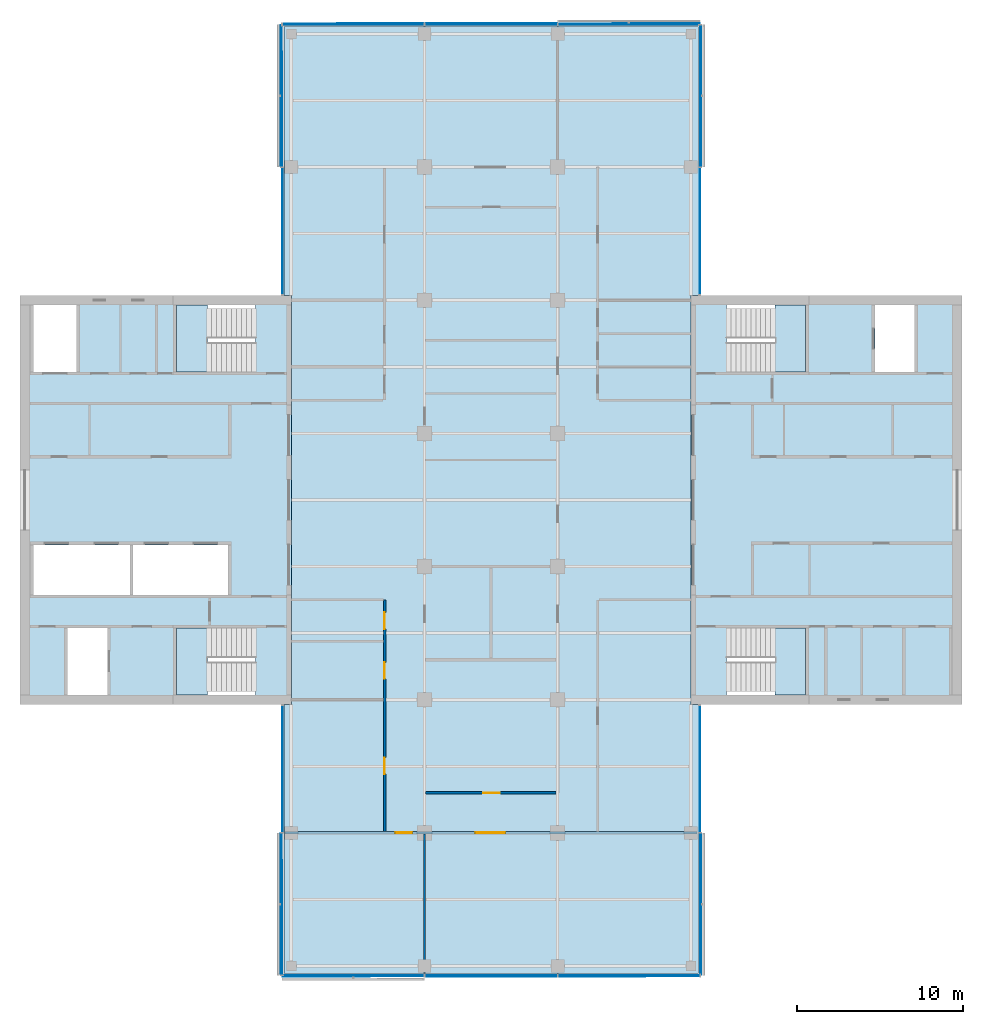
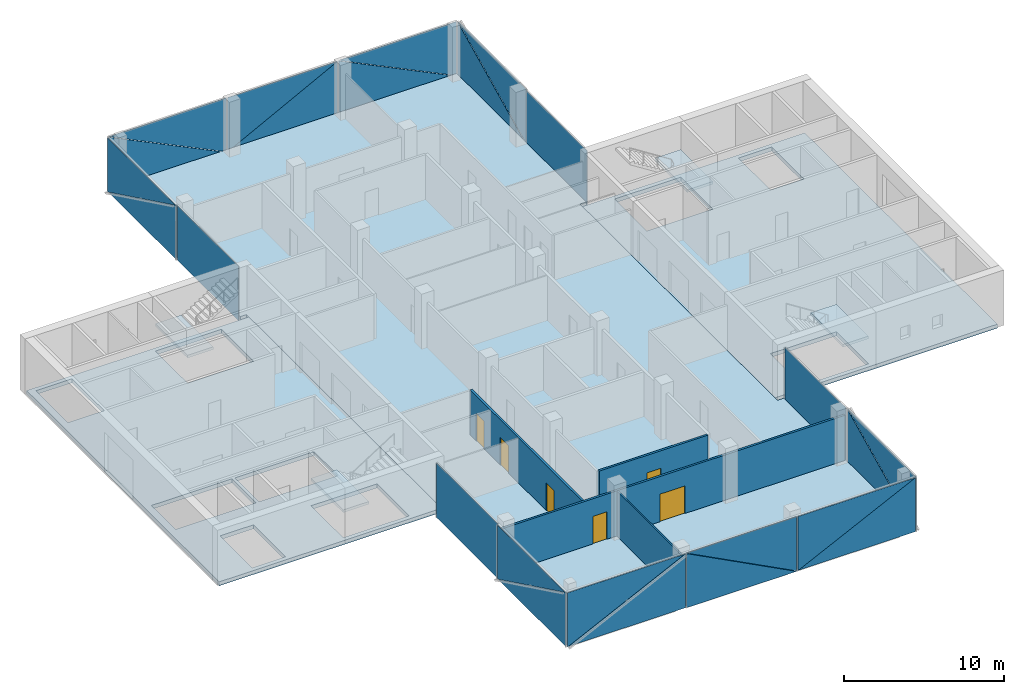
# One storey, part 8 of 15: 24 plates, 7 slabs, 6 doors, 4 walls, 6 openings, 14 elements without a shape of their own.
"""IFC4 building model written with IfcOpenShell, lengths in metres."""

from ifc_helpers import new_model, si_unit, direction, frame, frame_2d, origin, place, context, subcontext, project, spatial, polyline, rectangle, outline, extrude, material, layer, layer_set, type_object, element, fill, aggregate, save


model = new_model("IFC4")

# Units and contexts
model_context = context("Model", 3, precision=1e-05, world=origin(), true_north=direction((0.0, 1.0)))
body_context = subcontext(model_context, "Body", "Model", "MODEL_VIEW")
ifc_project = project(units=[si_unit("LENGTHUNIT", "METRE"), si_unit("AREAUNIT", "SQUARE_METRE"), si_unit("VOLUMEUNIT", "CUBIC_METRE"), si_unit("PLANEANGLEUNIT", "RADIAN"), si_unit("MASSUNIT", "GRAM", prefix="KILO")], contexts=[model_context])

# Site, building, storey
site_placement = place(None, origin())
site = spatial("IfcSite", under=ifc_project, at=site_placement, CompositionType="ELEMENT")
building_placement = place(site_placement, origin())
building = spatial("IfcBuilding", under=site, at=building_placement, Name="Crosswind Convention Tower", CompositionType="ELEMENT")
storey_placement = place(building_placement, frame((0.0, 0.0, 229.300048828125)))
storey = spatial("IfcBuildingStorey", under=building, at=storey_placement, Name="L49", CompositionType="ELEMENT", Elevation=229.300048828125)

# Slabs
ifc_material_1 = material(Name="Concrete C40/50", Category="concrete")
ifc_layer_1 = layer(ifc_material_1, 0.300048828125)
ifc_layer_set_1 = layer_set([ifc_layer_1], Name="Concrete C40/50")
slab_type_1 = type_object("IfcSlabType", Name="Composite floor slab 300", PredefinedType="FLOOR", material=ifc_layer_set_1)
slab_1_placement = place(storey_placement, frame((0.0, 0.0, -0.300048828125)))
element("IfcSlab", 1, at=slab_1_placement, inside=storey, type_object=slab_type_1, Name="Floor slab L49", PredefinedType="FLOOR", context=body_context, shape_type="SweptSolid", body=[
    extrude(outline(polyline([(137.449951171875, 71.550048828125), (137.0, 71.550048828125), (113.0, 71.550048828125), (112.550048828125, 71.550048828125), (112.550048828125, 72.0), (112.550048828125, 87.699951171875), (113.0, 87.699951171875), (113.0, 112.300048828125), (112.550048828125, 112.300048828125), (112.550048828125, 128.0), (112.550048828125, 128.449951171875), (113.0, 128.449951171875), (137.0, 128.449951171875), (137.449951171875, 128.449951171875), (137.449951171875, 128.0), (137.449951171875, 112.300048828125), (137.0, 112.300048828125), (137.0, 87.699951171875), (137.449951171875, 87.699951171875), (137.449951171875, 72.0), (137.449951171875, 71.550048828125)])), origin(), (0.0, 0.0, 1.0), 0.300048828125),
])
ifc_layer_2 = layer(ifc_material_1, 0.300048828125)
ifc_layer_set_2 = layer_set([ifc_layer_2], Name="Concrete C40/50")
slab_type_2 = type_object("IfcSlabType", Name="Concrete core floor slab 300", PredefinedType="FLOOR", material=ifc_layer_set_2)
slab_2_placement = place(storey_placement, frame((0.0, 0.0, -0.300048828125)))
element("IfcSlab", 2, at=slab_2_placement, inside=storey, type_object=slab_type_2, Name="Core floor slab E L49", PredefinedType="FLOOR", context=body_context, shape_type="SweptSolid", body=[
    extrude(outline(polyline([(137.0, 88.0), (153.0, 88.0), (153.0, 112.0), (137.0, 112.0), (137.0, 88.0)]), holes=[polyline([(150.449951171875, 107.699951171875), (150.449951171875, 111.699951171875), (148.050048828125, 111.699951171875), (148.050048828125, 107.699951171875), (150.449951171875, 107.699951171875)]), polyline([(143.89990234375, 107.699951171875), (143.89990234375, 111.699951171875), (139.14990234375, 111.699951171875), (139.14990234375, 107.699951171875), (143.89990234375, 107.699951171875)]), polyline([(143.89990234375, 88.300048828125), (143.89990234375, 92.300048828125), (139.14990234375, 92.300048828125), (139.14990234375, 88.300048828125), (143.89990234375, 88.300048828125)])]), origin(), (0.0, 0.0, 1.0), 0.300048828125),
])
slab_3_placement = place(storey_placement, frame((0.0, 0.0, -0.300048828125)))
element("IfcSlab", 3, at=slab_3_placement, inside=storey, type_object=slab_type_2, Name="Core floor slab W L49", PredefinedType="FLOOR", context=body_context, shape_type="SweptSolid", body=[
    extrude(outline(polyline([(97.0, 88.0), (113.0, 88.0), (113.0, 112.0), (97.0, 112.0), (97.0, 88.0)]), holes=[polyline([(109.199951171875, 94.300048828125), (109.199951171875, 97.300048828125), (103.5, 97.300048828125), (103.5, 94.300048828125), (109.199951171875, 94.300048828125)]), polyline([(103.300048828125, 94.300048828125), (103.300048828125, 97.300048828125), (97.5, 97.300048828125), (97.5, 94.300048828125), (103.300048828125, 94.300048828125)]), polyline([(101.949951171875, 88.300048828125), (101.949951171875, 92.300048828125), (99.550048828125, 92.300048828125), (99.550048828125, 88.300048828125), (101.949951171875, 88.300048828125)]), polyline([(100.10009765625, 107.699951171875), (100.10009765625, 111.699951171875), (97.5, 111.699951171875), (97.5, 107.699951171875), (100.10009765625, 107.699951171875)]), polyline([(110.85009765625, 88.300048828125), (110.85009765625, 92.300048828125), (106.10009765625, 92.300048828125), (106.10009765625, 88.300048828125), (110.85009765625, 88.300048828125)]), polyline([(110.85009765625, 107.699951171875), (110.85009765625, 111.699951171875), (106.10009765625, 111.699951171875), (106.10009765625, 107.699951171875), (110.85009765625, 107.699951171875)])]), origin(), (0.0, 0.0, 1.0), 0.300048828125),
])

# Stair, slab
stair_type = type_object("IfcStairType", Name="Exit stair 1800 wide, 2 flights of 11 risers", PredefinedType="HALF_TURN_STAIR", material=ifc_material_1)
stair_1_placement = place(storey_placement, origin())
stair_1 = element("IfcStair", 4, at=stair_1_placement, inside=storey, type_object=stair_type, Name="Exit stair ST1 L49", ObjectType="ST5", PredefinedType="HALF_TURN_STAIR")
ifc_layer_3 = layer(ifc_material_1, 0.199951171875)
ifc_layer_set_3 = layer_set([ifc_layer_3], Name="Concrete C40/50")
slab_type_3 = type_object("IfcSlabType", Name="Stair landing 200", PredefinedType="LANDING", material=ifc_layer_set_3)
slab_4_placement = place(storey_placement, frame((0.0, 0.0, 1.89990234375)))
slab_4 = element("IfcSlab", 5, at=slab_4_placement, type_object=slab_type_3, Name="ST1 landing 1", PredefinedType="LANDING", context=body_context, shape_type="SweptSolid", body=[
    extrude(outline(polyline([(143.89990234375, 107.699951171875), (143.89990234375, 111.699951171875), (142.050048828125, 111.699951171875), (142.050048828125, 107.699951171875), (143.89990234375, 107.699951171875)])), origin(), (0.0, 0.0, 1.0), 0.199951171875),
])
aggregate(stair_1, [slab_4])

stair_2_placement = place(storey_placement, origin())
stair_2 = element("IfcStair", 6, at=stair_2_placement, inside=storey, type_object=stair_type, Name="Exit stair ST2 L49", ObjectType="ST5", PredefinedType="HALF_TURN_STAIR")
slab_5_placement = place(storey_placement, frame((0.0, 0.0, 1.89990234375)))
slab_5 = element("IfcSlab", 7, at=slab_5_placement, type_object=slab_type_3, Name="ST2 landing 1", PredefinedType="LANDING", context=body_context, shape_type="SweptSolid", body=[
    extrude(outline(polyline([(143.89990234375, 88.300048828125), (143.89990234375, 92.300048828125), (142.050048828125, 92.300048828125), (142.050048828125, 88.300048828125), (143.89990234375, 88.300048828125)])), origin(), (0.0, 0.0, 1.0), 0.199951171875),
])
aggregate(stair_2, [slab_5])

stair_3_placement = place(storey_placement, origin())
stair_3 = element("IfcStair", 8, at=stair_3_placement, inside=storey, type_object=stair_type, Name="Exit stair ST3 L49", ObjectType="ST5", PredefinedType="HALF_TURN_STAIR")
slab_6_placement = place(storey_placement, frame((0.0, 0.0, 1.89990234375)))
slab_6 = element("IfcSlab", 9, at=slab_6_placement, type_object=slab_type_3, Name="ST3 landing 1", PredefinedType="LANDING", context=body_context, shape_type="SweptSolid", body=[
    extrude(outline(polyline([(107.949951171875, 88.300048828125), (107.949951171875, 92.300048828125), (106.10009765625, 92.300048828125), (106.10009765625, 88.300048828125), (107.949951171875, 88.300048828125)])), origin(), (0.0, 0.0, 1.0), 0.199951171875),
])
aggregate(stair_3, [slab_6])

stair_4_placement = place(storey_placement, origin())
stair_4 = element("IfcStair", 10, at=stair_4_placement, inside=storey, type_object=stair_type, Name="Exit stair ST4 L49", ObjectType="ST5", PredefinedType="HALF_TURN_STAIR")
slab_7_placement = place(storey_placement, frame((0.0, 0.0, 1.89990234375)))
slab_7 = element("IfcSlab", 11, at=slab_7_placement, type_object=slab_type_3, Name="ST4 landing 1", PredefinedType="LANDING", context=body_context, shape_type="SweptSolid", body=[
    extrude(outline(polyline([(107.949951171875, 107.699951171875), (107.949951171875, 111.699951171875), (106.10009765625, 111.699951171875), (106.10009765625, 107.699951171875), (107.949951171875, 107.699951171875)])), origin(), (0.0, 0.0, 1.0), 0.199951171875),
])
aggregate(stair_4, [slab_7])

# Curtain wall, plate
ifc_material_2 = material(Name="Aluminium unitised curtain wall", Category="aluminium")
curtain_wall_type_1 = type_object("IfcCurtainWallType", Name="CORE END SLOT WALL 160", PredefinedType="USERDEFINED", material=ifc_material_2)
curtain_wall_1_placement = place(storey_placement, origin())
curtain_wall_1 = element("IfcCurtainWall", 12, at=curtain_wall_1_placement, inside=storey, type_object=curtain_wall_type_1, Name="CW6 L49 N-E.1-1 slot", ObjectType="UNITISED", PredefinedType="USERDEFINED")
ifc_material_3 = material(Name="Laminated insulating glass unit", Category="glass")
ifc_layer_4 = layer(ifc_material_3, 0.02587890625)
ifc_layer_set_4 = layer_set([ifc_layer_4], Name="TRIANGULAR GLASS PANEL 26")
plate_type_1 = type_object("IfcPlateType", Name="TRIANGULAR GLASS PANEL 26", PredefinedType="CURTAIN_PANEL", material=ifc_layer_set_4)
plate_1_placement = place(storey_placement, frame((137.556884765625, 112.35009765625, -0.300048828125), z_axis=(0.999999915205, 0.0, 0.00041181312), x_axis=(0.0, 1.0, 0.0)))
plate_1 = element("IfcPlate", 13, at=plate_1_placement, type_object=plate_type_1, Name="CW6 panel 1.1", PredefinedType="CURTAIN_PANEL", context=body_context, shape_type="SweptSolid", body=[
    extrude(outline(polyline([(0.0, 0.0), (7.599853515625, 0.0), (7.599853515625, 4.149902695641109), (0.0, 4.149902695641109), (0.0, 0.0)])), origin(), (0.0, 0.0, -1.0), 0.02587890625),
])
aggregate(curtain_wall_1, [plate_1])

curtain_wall_2_placement = place(storey_placement, origin())
curtain_wall_2 = element("IfcCurtainWall", 14, at=curtain_wall_2_placement, inside=storey, type_object=curtain_wall_type_1, Name="CW6 L49 N-W.1-2 slot", ObjectType="UNITISED", PredefinedType="USERDEFINED")
plate_2_placement = place(storey_placement, frame((112.443115234375, 119.949951171875, -0.300048828125), z_axis=(-0.999999915205, 0.0, 0.00041181312), x_axis=(0.0, -1.0, 0.0)))
plate_2 = element("IfcPlate", 15, at=plate_2_placement, type_object=plate_type_1, Name="CW6 panel 1.1", PredefinedType="CURTAIN_PANEL", context=body_context, shape_type="SweptSolid", body=[
    extrude(outline(polyline([(0.0, 0.0), (7.599853515625, 0.0), (7.599853515625, 4.149902695641109), (0.0, 4.149902695641109), (0.0, 0.0)])), origin(), (0.0, 0.0, -1.0), 0.02587890625),
])
aggregate(curtain_wall_2, [plate_2])

curtain_wall_3_placement = place(storey_placement, origin())
curtain_wall_3 = element("IfcCurtainWall", 16, at=curtain_wall_3_placement, inside=storey, type_object=curtain_wall_type_1, Name="CW6 L49 S-W.1-1 slot", ObjectType="UNITISED", PredefinedType="USERDEFINED")
plate_3_placement = place(storey_placement, frame((112.443115234375, 87.64990234375, -0.300048828125), z_axis=(-0.999999915205, 0.0, 0.00041181312), x_axis=(0.0, -1.0, 0.0)))
plate_3 = element("IfcPlate", 17, at=plate_3_placement, type_object=plate_type_1, Name="CW6 panel 1.1", PredefinedType="CURTAIN_PANEL", context=body_context, shape_type="SweptSolid", body=[
    extrude(outline(polyline([(0.0, 0.0), (7.599853515625, 0.0), (7.599853515625, 4.149902695641109), (0.0, 4.149902695641109), (0.0, 0.0)])), origin(), (0.0, 0.0, -1.0), 0.02587890625),
])
aggregate(curtain_wall_3, [plate_3])

curtain_wall_4_placement = place(storey_placement, origin())
curtain_wall_4 = element("IfcCurtainWall", 18, at=curtain_wall_4_placement, inside=storey, type_object=curtain_wall_type_1, Name="CW6 L49 S-E.1-2 slot", ObjectType="UNITISED", PredefinedType="USERDEFINED")
plate_4_placement = place(storey_placement, frame((137.556884765625, 80.050048828125, -0.300048828125), z_axis=(0.999999915205, 0.0, 0.00041181312), x_axis=(0.0, 1.0, 0.0)))
plate_4 = element("IfcPlate", 19, at=plate_4_placement, type_object=plate_type_1, Name="CW6 panel 1.1", PredefinedType="CURTAIN_PANEL", context=body_context, shape_type="SweptSolid", body=[
    extrude(outline(polyline([(0.0, 0.0), (7.599853515625, 0.0), (7.599853515625, 4.149902695641109), (0.0, 4.149902695641109), (0.0, 0.0)])), origin(), (0.0, 0.0, -1.0), 0.02587890625),
])
aggregate(curtain_wall_4, [plate_4])

# Curtain wall, plates
curtain_wall_type_2 = type_object("IfcCurtainWallType", Name="OFFICE UNITISED WALL 220", PredefinedType="USERDEFINED", material=ifc_material_2)
curtain_wall_5_placement = place(storey_placement, origin())
curtain_wall_5 = element("IfcCurtainWall", 20, at=curtain_wall_5_placement, inside=storey, type_object=curtain_wall_type_2, Name="CW3 L49 N-E 1", ObjectType="UNITISED", PredefinedType="USERDEFINED")
ifc_layer_5 = layer(ifc_material_3, 0.031982421875)
ifc_layer_set_5 = layer_set([ifc_layer_5], Name="TRIANGULAR GLASS PANEL 32")
plate_type_2 = type_object("IfcPlateType", Name="TRIANGULAR GLASS PANEL 32", PredefinedType="CURTAIN_PANEL", material=ifc_layer_set_5)
plate_5_placement = place(storey_placement, frame((137.5927734375, 128.52490234375, -0.300048828125), z_axis=(0.999999913924, 0.0, 0.000414913129), x_axis=(-0.000414913129, 0.0, 0.999999913924)))
plate_5 = element("IfcPlate", 21, at=plate_5_placement, type_object=plate_type_2, Name="CW3 panel 1.1", PredefinedType="CURTAIN_PANEL", context=body_context, shape_type="SweptSolid", body=[
    extrude(outline(polyline([(0.0, 0.0), (4.118896838915043, 0.0), (0.0, 8.467041015624998), (0.0, 0.0)])), origin(), (0.0, 0.0, -1.0), 0.031982421875),
])
plate_6_placement = place(storey_placement, frame((137.625244140625, 120.034912109375, 3.829833984375), z_axis=(0.999999936753, 0.0, 0.000355660914), x_axis=(0.000355660914, 0.0, -0.999999936753)))
plate_6 = element("IfcPlate", 22, at=plate_6_placement, type_object=plate_type_2, Name="CW3 panel 1.2", PredefinedType="CURTAIN_PANEL", context=body_context, shape_type="SweptSolid", body=[
    extrude(outline(polyline([(0.0, 0.0), (4.1186526042438425, 0.0), (0.0, 8.467285156250002), (0.0, 0.0)])), origin(), (0.0, 0.0, -1.0), 0.031982421875),
])
aggregate(curtain_wall_5, [plate_5, plate_6])

curtain_wall_6_placement = place(storey_placement, origin())
curtain_wall_6 = element("IfcCurtainWall", 23, at=curtain_wall_6_placement, inside=storey, type_object=curtain_wall_type_2, Name="CW3 L49 N-TIP 1", ObjectType="UNITISED", PredefinedType="USERDEFINED")
plate_7_placement = place(storey_placement, frame((129.034912109375, 128.5927734375, -0.300048828125), z_axis=(0.0, 0.999999913924, 0.000414913129), x_axis=(0.0, -0.000414913129, 0.999999913924)))
plate_7 = element("IfcPlate", 24, at=plate_7_placement, type_object=plate_type_2, Name="CW3 panel 1.1", PredefinedType="CURTAIN_PANEL", context=body_context, shape_type="SweptSolid", body=[
    extrude(outline(polyline([(0.0, 0.0), (4.118896838915043, 0.0), (0.0, 8.467285156249998), (0.0, 0.0)])), origin(), (0.0, 0.0, -1.0), 0.031982421875),
])
plate_8_placement = place(storey_placement, frame((137.52490234375, 128.625244140625, 3.829833984375), z_axis=(0.0, 0.999999936753, 0.000355660914), x_axis=(0.0, 0.000355660914, -0.999999936753)))
plate_8 = element("IfcPlate", 25, at=plate_8_placement, type_object=plate_type_2, Name="CW3 panel 1.2", PredefinedType="CURTAIN_PANEL", context=body_context, shape_type="SweptSolid", body=[
    extrude(outline(polyline([(0.0, 0.0), (4.1186526042438425, 0.0), (0.0, 8.467041015625), (0.0, 0.0)])), origin(), (0.0, 0.0, -1.0), 0.031982421875),
])
plate_9_placement = place(storey_placement, frame((121.034912109375, 128.591064453125, 3.829833984375), z_axis=(0.0, 0.999999913913, 0.000414937724), x_axis=(1.0, 0.0, 0.0)))
plate_9 = element("IfcPlate", 26, at=plate_9_placement, type_object=plate_type_2, Name="CW3 panel 2.1", PredefinedType="CURTAIN_PANEL", context=body_context, shape_type="SweptSolid", body=[
    extrude(outline(polyline([(0.0, 0.0), (7.908447265625, 0.0), (0.0, 4.118652698311059), (0.0, 0.0)])), origin(), (0.0, 0.0, -1.0), 0.031982421875),
])
plate_10_placement = place(storey_placement, frame((128.965087890625, 128.626708984375, -0.300048828125), z_axis=(0.0, 0.999999936753, 0.000355660914), x_axis=(-1.0, 0.0, 0.0)))
plate_10 = element("IfcPlate", 27, at=plate_10_placement, type_object=plate_type_2, Name="CW3 panel 2.2", PredefinedType="CURTAIN_PANEL", context=body_context, shape_type="SweptSolid", body=[
    extrude(outline(polyline([(0.0, 0.0), (7.908447265625, 0.0), (0.0, 4.118652604243842), (0.0, 0.0)])), origin(), (0.0, 0.0, -1.0), 0.031982421875),
])
plate_11_placement = place(storey_placement, frame((112.47509765625, 128.5927734375, -0.300048828125), z_axis=(0.0, 0.999999913924, 0.000414913129), x_axis=(0.0, -0.000414913129, 0.999999913924)))
plate_11 = element("IfcPlate", 28, at=plate_11_placement, type_object=plate_type_2, Name="CW3 panel 3.1", PredefinedType="CURTAIN_PANEL", context=body_context, shape_type="SweptSolid", body=[
    extrude(outline(polyline([(0.0, 0.0), (4.118896838915043, 0.0), (0.0, 8.467041015624998), (0.0, 0.0)])), origin(), (0.0, 0.0, -1.0), 0.031982421875),
])
plate_12_placement = place(storey_placement, frame((120.965087890625, 128.625244140625, 3.829833984375), z_axis=(0.0, 0.999999936753, 0.000355660914), x_axis=(0.0, 0.000355660914, -0.999999936753)))
plate_12 = element("IfcPlate", 29, at=plate_12_placement, type_object=plate_type_2, Name="CW3 panel 3.2", PredefinedType="CURTAIN_PANEL", context=body_context, shape_type="SweptSolid", body=[
    extrude(outline(polyline([(0.0, 0.0), (4.1186526042438425, 0.0), (0.0, 8.467285156250002), (0.0, 0.0)])), origin(), (0.0, 0.0, -1.0), 0.031982421875),
])
aggregate(curtain_wall_6, [plate_7, plate_8, plate_9, plate_10, plate_11, plate_12])

curtain_wall_7_placement = place(storey_placement, origin())
curtain_wall_7 = element("IfcCurtainWall", 30, at=curtain_wall_7_placement, inside=storey, type_object=curtain_wall_type_2, Name="CW3 L49 N-W 1", ObjectType="UNITISED", PredefinedType="USERDEFINED")
plate_13_placement = place(storey_placement, frame((112.4072265625, 120.034912109375, -0.300048828125), z_axis=(-0.999999913924, 0.0, 0.000414913129), x_axis=(0.000414913129, 0.0, 0.999999913924)))
plate_13 = element("IfcPlate", 31, at=plate_13_placement, type_object=plate_type_2, Name="CW3 panel 1.1", PredefinedType="CURTAIN_PANEL", context=body_context, shape_type="SweptSolid", body=[
    extrude(outline(polyline([(0.0, 0.0), (4.118896838915043, 0.0), (0.0, 8.467285156249998), (0.0, 0.0)])), origin(), (0.0, 0.0, -1.0), 0.031982421875),
])
plate_14_placement = place(storey_placement, frame((112.374755859375, 128.52490234375, 3.829833984375), z_axis=(-0.999999936753, 0.0, 0.000355660914), x_axis=(-0.000355660914, 0.0, -0.999999936753)))
plate_14 = element("IfcPlate", 32, at=plate_14_placement, type_object=plate_type_2, Name="CW3 panel 1.2", PredefinedType="CURTAIN_PANEL", context=body_context, shape_type="SweptSolid", body=[
    extrude(outline(polyline([(0.0, 0.0), (4.1186526042438425, 0.0), (0.0, 8.467041015625), (0.0, 0.0)])), origin(), (0.0, 0.0, -1.0), 0.031982421875),
])
aggregate(curtain_wall_7, [plate_13, plate_14])

curtain_wall_8_placement = place(storey_placement, origin())
curtain_wall_8 = element("IfcCurtainWall", 33, at=curtain_wall_8_placement, inside=storey, type_object=curtain_wall_type_2, Name="CW3 L49 S-W 1", ObjectType="UNITISED", PredefinedType="USERDEFINED")
plate_15_placement = place(storey_placement, frame((112.4072265625, 71.47509765625, -0.300048828125), z_axis=(-0.999999913924, 0.0, 0.000414913129), x_axis=(0.000414913129, 0.0, 0.999999913924)))
plate_15 = element("IfcPlate", 34, at=plate_15_placement, type_object=plate_type_2, Name="CW3 panel 1.1", PredefinedType="CURTAIN_PANEL", context=body_context, shape_type="SweptSolid", body=[
    extrude(outline(polyline([(0.0, 0.0), (4.118896838915043, 0.0), (0.0, 8.467041015624998), (0.0, 0.0)])), origin(), (0.0, 0.0, -1.0), 0.031982421875),
])
plate_16_placement = place(storey_placement, frame((112.374755859375, 79.965087890625, 3.829833984375), z_axis=(-0.999999936753, 0.0, 0.000355660914), x_axis=(-0.000355660914, 0.0, -0.999999936753)))
plate_16 = element("IfcPlate", 35, at=plate_16_placement, type_object=plate_type_2, Name="CW3 panel 1.2", PredefinedType="CURTAIN_PANEL", context=body_context, shape_type="SweptSolid", body=[
    extrude(outline(polyline([(0.0, 0.0), (4.1186526042438425, 0.0), (0.0, 8.467285156250002), (0.0, 0.0)])), origin(), (0.0, 0.0, -1.0), 0.031982421875),
])
aggregate(curtain_wall_8, [plate_15, plate_16])

curtain_wall_9_placement = place(storey_placement, origin())
curtain_wall_9 = element("IfcCurtainWall", 36, at=curtain_wall_9_placement, inside=storey, type_object=curtain_wall_type_2, Name="CW3 L49 S-TIP 1", ObjectType="UNITISED", PredefinedType="USERDEFINED")
plate_17_placement = place(storey_placement, frame((120.965087890625, 71.4072265625, -0.300048828125), z_axis=(0.0, -0.999999913924, 0.000414913129), x_axis=(0.0, 0.000414913129, 0.999999913924)))
plate_17 = element("IfcPlate", 37, at=plate_17_placement, type_object=plate_type_2, Name="CW3 panel 1.1", PredefinedType="CURTAIN_PANEL", context=body_context, shape_type="SweptSolid", body=[
    extrude(outline(polyline([(0.0, 0.0), (4.118896838915043, 0.0), (0.0, 8.467285156249998), (0.0, 0.0)])), origin(), (0.0, 0.0, -1.0), 0.031982421875),
])
plate_18_placement = place(storey_placement, frame((112.47509765625, 71.374755859375, 3.829833984375), z_axis=(0.0, -0.999999936753, 0.000355660914), x_axis=(0.0, -0.000355660914, -0.999999936753)))
plate_18 = element("IfcPlate", 38, at=plate_18_placement, type_object=plate_type_2, Name="CW3 panel 1.2", PredefinedType="CURTAIN_PANEL", context=body_context, shape_type="SweptSolid", body=[
    extrude(outline(polyline([(0.0, 0.0), (4.1186526042438425, 0.0), (0.0, 8.467041015625), (0.0, 0.0)])), origin(), (0.0, 0.0, -1.0), 0.031982421875),
])
plate_19_placement = place(storey_placement, frame((128.965087890625, 71.408935546875, 3.829833984375), z_axis=(0.0, -0.999999913913, 0.000414937724), x_axis=(-1.0, 0.0, 0.0)))
plate_19 = element("IfcPlate", 39, at=plate_19_placement, type_object=plate_type_2, Name="CW3 panel 2.1", PredefinedType="CURTAIN_PANEL", context=body_context, shape_type="SweptSolid", body=[
    extrude(outline(polyline([(0.0, 0.0), (7.908447265625, 0.0), (0.0, 4.118652698311059), (0.0, 0.0)])), origin(), (0.0, 0.0, -1.0), 0.031982421875),
])
plate_20_placement = place(storey_placement, frame((121.034912109375, 71.373291015625, -0.300048828125), z_axis=(0.0, -0.999999936753, 0.000355660914), x_axis=(1.0, 0.0, 0.0)))
plate_20 = element("IfcPlate", 40, at=plate_20_placement, type_object=plate_type_2, Name="CW3 panel 2.2", PredefinedType="CURTAIN_PANEL", context=body_context, shape_type="SweptSolid", body=[
    extrude(outline(polyline([(0.0, 0.0), (7.908447265625, 0.0), (0.0, 4.118652604243842), (0.0, 0.0)])), origin(), (0.0, 0.0, -1.0), 0.031982421875),
])
plate_21_placement = place(storey_placement, frame((137.52490234375, 71.4072265625, -0.300048828125), z_axis=(0.0, -0.999999913924, 0.000414913129), x_axis=(0.0, 0.000414913129, 0.999999913924)))
plate_21 = element("IfcPlate", 41, at=plate_21_placement, type_object=plate_type_2, Name="CW3 panel 3.1", PredefinedType="CURTAIN_PANEL", context=body_context, shape_type="SweptSolid", body=[
    extrude(outline(polyline([(0.0, 0.0), (4.118896838915043, 0.0), (0.0, 8.467041015624998), (0.0, 0.0)])), origin(), (0.0, 0.0, -1.0), 0.031982421875),
])
plate_22_placement = place(storey_placement, frame((129.034912109375, 71.374755859375, 3.829833984375), z_axis=(0.0, -0.999999936753, 0.000355660914), x_axis=(0.0, -0.000355660914, -0.999999936753)))
plate_22 = element("IfcPlate", 42, at=plate_22_placement, type_object=plate_type_2, Name="CW3 panel 3.2", PredefinedType="CURTAIN_PANEL", context=body_context, shape_type="SweptSolid", body=[
    extrude(outline(polyline([(0.0, 0.0), (4.1186526042438425, 0.0), (0.0, 8.467285156250002), (0.0, 0.0)])), origin(), (0.0, 0.0, -1.0), 0.031982421875),
])
aggregate(curtain_wall_9, [plate_17, plate_18, plate_19, plate_20, plate_21, plate_22])

curtain_wall_10_placement = place(storey_placement, origin())
curtain_wall_10 = element("IfcCurtainWall", 43, at=curtain_wall_10_placement, inside=storey, type_object=curtain_wall_type_2, Name="CW3 L49 S-E 1", ObjectType="UNITISED", PredefinedType="USERDEFINED")
plate_23_placement = place(storey_placement, frame((137.5927734375, 79.965087890625, -0.300048828125), z_axis=(0.999999913924, 0.0, 0.000414913129), x_axis=(-0.000414913129, 0.0, 0.999999913924)))
plate_23 = element("IfcPlate", 44, at=plate_23_placement, type_object=plate_type_2, Name="CW3 panel 1.1", PredefinedType="CURTAIN_PANEL", context=body_context, shape_type="SweptSolid", body=[
    extrude(outline(polyline([(0.0, 0.0), (4.118896838915043, 0.0), (0.0, 8.467285156249998), (0.0, 0.0)])), origin(), (0.0, 0.0, -1.0), 0.031982421875),
])
plate_24_placement = place(storey_placement, frame((137.625244140625, 71.47509765625, 3.829833984375), z_axis=(0.999999936753, 0.0, 0.000355660914), x_axis=(0.000355660914, 0.0, -0.999999936753)))
plate_24 = element("IfcPlate", 45, at=plate_24_placement, type_object=plate_type_2, Name="CW3 panel 1.2", PredefinedType="CURTAIN_PANEL", context=body_context, shape_type="SweptSolid", body=[
    extrude(outline(polyline([(0.0, 0.0), (4.1186526042438425, 0.0), (0.0, 8.467041015625), (0.0, 0.0)])), origin(), (0.0, 0.0, -1.0), 0.031982421875),
])
aggregate(curtain_wall_10, [plate_23, plate_24])

# Wall
ifc_material_4 = material(Name="Plasterboard partition", Category="gypsum")
ifc_layer_6 = layer(ifc_material_4, 0.10009765625)
ifc_layer_set_6 = layer_set([ifc_layer_6], Name="PARTITION 100 METAL STUD")
wall_type_1 = type_object("IfcWallType", Name="PARTITION 100 METAL STUD", PredefinedType="PARTITIONING", material=ifc_layer_set_6)
wall_1_placement = place(storey_placement, frame((121.0, 71.6298828125, 0.0), z_axis=(0.0, 0.0, 1.0), x_axis=(0.0, 1.0, 0.0)))
element("IfcWall", 46, at=wall_1_placement, inside=storey, type_object=wall_type_1, Name="Partition wall WT40", PredefinedType="PARTITIONING", context=body_context, shape_type="SweptSolid", body=[
    extrude(rectangle(XDim=8.295166015625, YDim=0.10009765625, at=frame_2d((4.1474609375, 0.0))), origin(), (0.0, 0.0, 1.0), 3.439697265625),
])

# Wall, openings, doors
ifc_material_5 = material(Name="Fire-board partition with mineral wool", Category="gypsum")
ifc_layer_7 = layer(ifc_material_5, 0.14990234375)
ifc_layer_set_7 = layer_set([ifc_layer_7], Name="TENANCY WALL 150 TWO-HOUR BOARD")
wall_type_2 = type_object("IfcWallType", Name="TENANCY WALL 150 TWO-HOUR BOARD", PredefinedType="PARTITIONING", material=ifc_layer_set_7)
wall_2_placement = place(storey_placement, frame((118.60009765625, 80.074951171875, 0.0), z_axis=(0.0, 0.0, 1.0), x_axis=(0.0, 1.0, 0.0)))
wall_2 = element("IfcWall", 47, at=wall_2_placement, inside=storey, type_object=wall_type_2, Name="Tenancy wall WT41", PredefinedType="PARTITIONING", context=body_context, shape_type="SweptSolid", body=[
    extrude(rectangle(XDim=13.925048828125, YDim=0.14990234375, at=frame_2d((6.96240234375, 0.0))), origin(), (0.0, 0.0, 1.0), 3.439697265625),
])
opening_1_placement = place(wall_2_placement, frame((12.175048828125, 0.0, 0.0)))
opening_1 = element("IfcOpeningElement", 48, at=opening_1_placement, cuts=wall_2, Name="Opening L49-58", PredefinedType="OPENING", context=body_context, shape_type="SweptSolid", body=[
    extrude(rectangle(XDim=1.0, YDim=2.10009765625, at=frame_2d((0.5, 1.050048828125))), frame((0.0, 0.0849609375, 0.0), z_axis=(0.0, -1.0, 0.0), x_axis=(1.0, 0.0, 0.0)), (0.0, 0.0, 1.0), 0.169921875),
])
opening_2_placement = place(wall_2_placement, frame((9.175048828125, 0.0, 0.0)))
opening_2 = element("IfcOpeningElement", 49, at=opening_2_placement, cuts=wall_2, Name="Opening L49-59", PredefinedType="OPENING", context=body_context, shape_type="SweptSolid", body=[
    extrude(rectangle(XDim=1.0, YDim=2.10009765625, at=frame_2d((0.5, 1.050048828125))), frame((0.0, 0.0849609375, 0.0), z_axis=(0.0, -1.0, 0.0), x_axis=(1.0, 0.0, 0.0)), (0.0, 0.0, 1.0), 0.169921875),
])
opening_3_placement = place(wall_2_placement, frame((3.449951171875, 0.0, 0.0)))
opening_3 = element("IfcOpeningElement", 50, at=opening_3_placement, cuts=wall_2, Name="Opening L49-60", PredefinedType="OPENING", context=body_context, shape_type="SweptSolid", body=[
    extrude(rectangle(XDim=1.0, YDim=2.10009765625, at=frame_2d((0.5, 1.050048828125))), frame((0.0, 0.0849609375, 0.0), z_axis=(0.0, -1.0, 0.0), x_axis=(1.0, 0.0, 0.0)), (0.0, 0.0, 1.0), 0.169921875),
])
ifc_material_6 = material(Name="Timber fire door", Category="wood")
door_type_1 = type_object("IfcDoorType", Name="TENANCY ENTRANCE DOOR 1000X2100 FD30S", OperationType="NOTDEFINED", PredefinedType="DOOR", material=ifc_material_6)
door_1_placement = place(opening_1_placement, origin())
door_1 = element("IfcDoor", 51, at=door_1_placement, inside=storey, type_object=door_type_1, Name="Door L49-58", ObjectType="D41", OperationType="SINGLE_SWING_RIGHT", OverallHeight=2.10009765625, OverallWidth=1.0, PredefinedType="DOOR", context=body_context, shape_type="SweptSolid", body=[
    extrude(rectangle(XDim=1.0, YDim=2.10009765625, at=frame_2d((0.5, 1.050048828125))), frame((0.0, 0.02490234375, 0.0), z_axis=(0.0, -1.0, 0.0), x_axis=(1.0, 0.0, 0.0)), (0.0, 0.0, 1.0), 0.050048828125),
])
fill(opening_1, door_1)
door_2_placement = place(opening_2_placement, origin())
door_2 = element("IfcDoor", 52, at=door_2_placement, inside=storey, type_object=door_type_1, Name="Door L49-59", ObjectType="D41", OperationType="SINGLE_SWING_RIGHT", OverallHeight=2.10009765625, OverallWidth=1.0, PredefinedType="DOOR", context=body_context, shape_type="SweptSolid", body=[
    extrude(rectangle(XDim=1.0, YDim=2.10009765625, at=frame_2d((0.5, 1.050048828125))), frame((0.0, 0.02490234375, 0.0), z_axis=(0.0, -1.0, 0.0), x_axis=(1.0, 0.0, 0.0)), (0.0, 0.0, 1.0), 0.050048828125),
])
fill(opening_2, door_2)
door_3_placement = place(opening_3_placement, origin())
door_3 = element("IfcDoor", 53, at=door_3_placement, inside=storey, type_object=door_type_1, Name="Door L49-60", ObjectType="D41", OperationType="SINGLE_SWING_RIGHT", OverallHeight=2.10009765625, OverallWidth=1.0, PredefinedType="DOOR", context=body_context, shape_type="SweptSolid", body=[
    extrude(rectangle(XDim=1.0, YDim=2.10009765625, at=frame_2d((0.5, 1.050048828125))), frame((0.0, 0.02490234375, 0.0), z_axis=(0.0, -1.0, 0.0), x_axis=(1.0, 0.0, 0.0)), (0.0, 0.0, 1.0), 0.050048828125),
])
fill(opening_3, door_3)

wall_3_placement = place(storey_placement, frame((112.6298828125, 80.0, 0.0), z_axis=(0.0, 0.0, 1.0), x_axis=(1.0, 0.0, 0.0)))
wall_3 = element("IfcWall", 54, at=wall_3_placement, inside=storey, type_object=wall_type_2, Name="Tenancy wall WT41", PredefinedType="PARTITIONING", context=body_context, shape_type="SweptSolid", body=[
    extrude(rectangle(XDim=24.740234375, YDim=0.14990234375, at=frame_2d((12.3701171875, 0.0))), origin(), (0.0, 0.0, 1.0), 3.439697265625),
])
opening_4_placement = place(wall_3_placement, frame((6.6201171875, 0.0, 0.0)))
opening_4 = element("IfcOpeningElement", 55, at=opening_4_placement, cuts=wall_3, Name="Opening L49-62", PredefinedType="OPENING", context=body_context, shape_type="SweptSolid", body=[
    extrude(rectangle(XDim=1.0, YDim=2.10009765625, at=frame_2d((0.5, 1.050048828125))), frame((0.0, 0.0849609375, 0.0), z_axis=(0.0, -1.0, 0.0), x_axis=(1.0, 0.0, 0.0)), (0.0, 0.0, 1.0), 0.169921875),
])
opening_5_placement = place(wall_3_placement, frame((11.419921875, 0.0, 0.0)))
opening_5 = element("IfcOpeningElement", 56, at=opening_5_placement, cuts=wall_3, Name="Opening L49-63", PredefinedType="OPENING", context=body_context, shape_type="SweptSolid", body=[
    extrude(rectangle(XDim=1.800048828125, YDim=2.10009765625, at=frame_2d((0.89990234375, 1.050048828125))), frame((0.0, 0.0849609375, 0.0), z_axis=(0.0, -1.0, 0.0), x_axis=(1.0, 0.0, 0.0)), (0.0, 0.0, 1.0), 0.169921875),
])
door_4_placement = place(opening_4_placement, frame((1.0, 0.0, 0.0), z_axis=(0.0, 0.0, 1.0), x_axis=(-1.0, 0.0, 0.0)))
door_4 = element("IfcDoor", 57, at=door_4_placement, inside=storey, type_object=door_type_1, Name="Door L49-62", ObjectType="D41", OperationType="SINGLE_SWING_LEFT", OverallHeight=2.10009765625, OverallWidth=1.0, PredefinedType="DOOR", context=body_context, shape_type="SweptSolid", body=[
    extrude(rectangle(XDim=1.0, YDim=2.10009765625, at=frame_2d((0.5, 1.050048828125))), frame((0.0, 0.02490234375, 0.0), z_axis=(0.0, -1.0, 0.0), x_axis=(1.0, 0.0, 0.0)), (0.0, 0.0, 1.0), 0.050048828125),
])
fill(opening_4, door_4)
door_type_2 = type_object("IfcDoorType", Name="TENANCY ENTRANCE DOUBLE DOOR 1800X2100 FD30S", OperationType="DOUBLE_DOOR_SINGLE_SWING", PredefinedType="DOOR", material=ifc_material_6)
door_5_placement = place(opening_5_placement, frame((1.800048828125, 0.0, 0.0), z_axis=(0.0, 0.0, 1.0), x_axis=(-1.0, 0.0, 0.0)))
door_5 = element("IfcDoor", 58, at=door_5_placement, inside=storey, type_object=door_type_2, Name="Door L49-63", ObjectType="D42", OperationType="DOUBLE_DOOR_SINGLE_SWING", OverallHeight=2.10009765625, OverallWidth=1.800048828125, PredefinedType="DOOR", context=body_context, shape_type="SweptSolid", body=[
    extrude(rectangle(XDim=1.800048828125, YDim=2.10009765625, at=frame_2d((0.89990234375, 1.050048828125))), frame((0.0, 0.02490234375, 0.0), z_axis=(0.0, -1.0, 0.0), x_axis=(1.0, 0.0, 0.0)), (0.0, 0.0, 1.0), 0.050048828125),
])
fill(opening_5, door_5)

# Wall, opening, door
wall_4_placement = place(storey_placement, frame((121.074951171875, 82.39990234375, 0.0), z_axis=(0.0, 0.0, 1.0), x_axis=(1.0, 0.0, 0.0)))
wall_4 = element("IfcWall", 59, at=wall_4_placement, inside=storey, type_object=wall_type_2, Name="Tenancy wall WT41", PredefinedType="PARTITIONING", context=body_context, shape_type="SweptSolid", body=[
    extrude(rectangle(XDim=7.824951171875, YDim=0.14990234375, at=frame_2d((3.91259765625, 0.0))), origin(), (0.0, 0.0, 1.0), 3.439697265625),
])
opening_6_placement = place(wall_4_placement, frame((3.449951171875, 0.0, 0.0)))
opening_6 = element("IfcOpeningElement", 60, at=opening_6_placement, cuts=wall_4, Name="Opening L49-64", PredefinedType="OPENING", context=body_context, shape_type="SweptSolid", body=[
    extrude(rectangle(XDim=1.0, YDim=2.10009765625, at=frame_2d((0.5, 1.050048828125))), frame((0.0, 0.0849609375, 0.0), z_axis=(0.0, -1.0, 0.0), x_axis=(1.0, 0.0, 0.0)), (0.0, 0.0, 1.0), 0.169921875),
])
door_6_placement = place(opening_6_placement, origin())
door_6 = element("IfcDoor", 61, at=door_6_placement, inside=storey, type_object=door_type_1, Name="Door L49-64", ObjectType="D41", OperationType="SINGLE_SWING_RIGHT", OverallHeight=2.10009765625, OverallWidth=1.0, PredefinedType="DOOR", context=body_context, shape_type="SweptSolid", body=[
    extrude(rectangle(XDim=1.0, YDim=2.10009765625, at=frame_2d((0.5, 1.050048828125))), frame((0.0, 0.02490234375, 0.0), z_axis=(0.0, -1.0, 0.0), x_axis=(1.0, 0.0, 0.0)), (0.0, 0.0, 1.0), 0.050048828125),
])
fill(opening_6, door_6)

save(model, "model.ifc")
